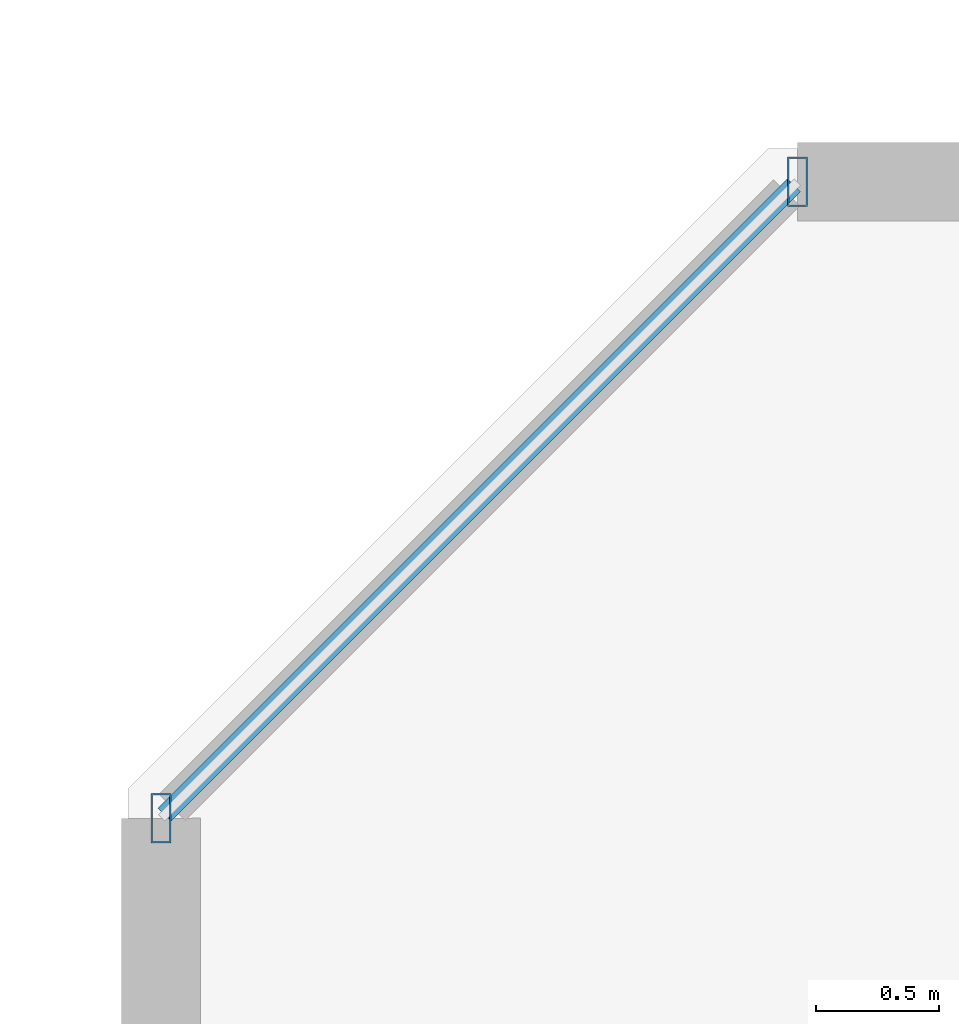
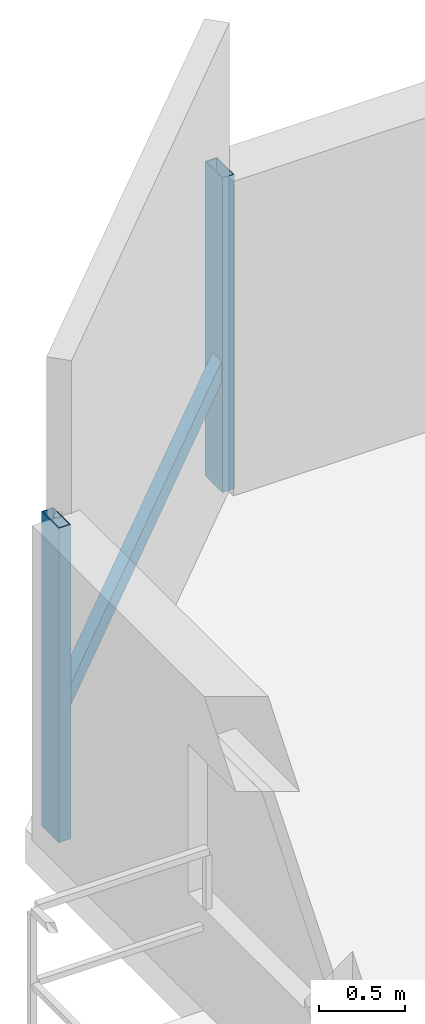
# One storey, part 7 of 35: 3 members, 1 element without a shape of its own.
"""IFC4 building model written with IfcOpenShell, lengths in metres."""

import ifcopenshell
import ifcopenshell.guid

model = None  # the IFC model being written
_history = None  # IfcOwnerHistory: only IFC2X3 demands one
_inside = {}  # id of a spatial element -> (the spatial element, [elements in it])
_under = {}  # id of a project, library or spatial element -> (it, [spatial elements below it])
_declared = {}  # id of a project -> (the project, [libraries it declares])
_typed = {}  # id of a type object -> (the type object, [elements of that type])
_made_of = {}  # id of a material, layer set ... -> (it, [elements and type objects made of it])


def new_model(schema):
    """Start an empty IFC model of exactly this schema.

    Asked for "IFC4X3", IfcOpenShell would pick the latest addendum, in which some entities
    have other attributes; the version numbers below select the first issue.
    IFC2X3 requires an IfcOwnerHistory on every rooted entity: one is made here for all.
    """
    global model, _history
    if schema == "IFC4X3":
        model = ifcopenshell.file(schema_version=(4, 3, 0, 0))
    else:
        model = ifcopenshell.file(schema=schema)
    _inside.clear()
    _under.clear()
    _declared.clear()
    _typed.clear()
    _made_of.clear()
    _history = None
    if model.schema == "IFC2X3":
        org = make("IfcOrganization", Name="unknown")
        user = make(
            "IfcPersonAndOrganization",
            ThePerson=make("IfcPerson", FamilyName="unknown"),
            TheOrganization=org,
        )
        app = make(
            "IfcApplication",
            ApplicationDeveloper=org,
            Version="unknown",
            ApplicationFullName="unknown",
            ApplicationIdentifier="unknown",
        )
        _history = make(
            "IfcOwnerHistory",
            OwningUser=user,
            OwningApplication=app,
            ChangeAction="ADDED",
            CreationDate=0,
        )
    return model


def make(cls, **values):
    """One entity of the class cls with the attributes given. An attribute that is None is left unset."""
    return model.create_entity(
        cls, **{name: value for name, value in values.items() if value is not None}
    )


def rooted(cls, **values):
    """An entity with a GlobalId (a new one), such as an element, a storey or a relation."""
    return make(cls, GlobalId=ifcopenshell.guid.new(), OwnerHistory=_history, **values)


def si_unit(unit_type, name, prefix=None):
    """IfcSIUnit, for example si_unit("LENGTHUNIT", "METRE", prefix="MILLI")."""
    return make("IfcSIUnit", UnitType=unit_type, Prefix=prefix, Name=name)


def assignment(units):
    """IfcUnitAssignment: the units of a project."""
    return None if units is None else make("IfcUnitAssignment", Units=units)


def point(xyz):
    """IfcCartesianPoint."""
    return None if xyz is None else make("IfcCartesianPoint", Coordinates=xyz)


def direction(xyz):
    """IfcDirection."""
    return None if xyz is None else make("IfcDirection", DirectionRatios=xyz)


def frame(location, z_axis=None, x_axis=None):
    """IfcAxis2Placement3D, a coordinate frame: its origin and axes. An axis left out is left unset."""
    return make(
        "IfcAxis2Placement3D",
        Location=point(location),
        Axis=direction(z_axis),
        RefDirection=direction(x_axis),
    )


def frame_2d(location, x_axis=None):
    """IfcAxis2Placement2D, a coordinate frame in the plane: its origin and x axis."""
    return make(
        "IfcAxis2Placement2D", Location=point(location), RefDirection=direction(x_axis)
    )


def origin():
    """The frame at (0, 0, 0) with its axes left unset."""
    return frame((0.0, 0.0, 0.0))


def origin_2d():
    """The frame at (0, 0) in the plane with its x axis left unset."""
    return frame_2d((0.0, 0.0))


def place(relative_to, where):
    """IfcLocalPlacement: puts the frame where relative to a parent placement (None: the world)."""
    return make(
        "IfcLocalPlacement", PlacementRelTo=relative_to, RelativePlacement=where
    )


def context(
    kind, dimensions, precision=None, world=None, true_north=None, identifier=None
):
    """IfcGeometricRepresentationContext, for example the 3D "Model" context."""
    return make(
        "IfcGeometricRepresentationContext",
        ContextIdentifier=identifier,
        ContextType=kind,
        CoordinateSpaceDimension=dimensions,
        Precision=precision,
        WorldCoordinateSystem=world,
        TrueNorth=true_north,
    )


def subcontext(parent, identifier, kind, view, scale=None):
    """IfcGeometricRepresentationSubContext, for example "Body" below "Model"."""
    return make(
        "IfcGeometricRepresentationSubContext",
        ContextIdentifier=identifier,
        ContextType=kind,
        ParentContext=parent,
        TargetScale=scale,
        TargetView=view,
    )


def project(units=None, contexts=None):
    """IfcProject with its units and contexts."""
    return rooted(
        "IfcProject",
        Name="project",
        RepresentationContexts=contexts,
        UnitsInContext=assignment(units),
    )


def spatial(cls, under=None, at=None, **own):
    """A site, building, storey or space (cls), placed at a placement, below another one or the project."""
    s = rooted(cls, ObjectPlacement=at, **own)
    if under is not None:
        _under.setdefault(under.id(), (under, []))[1].append(s)
    return s


def profile(cls, at=None, kind="AREA", **sizes):
    """A parametric profile (cls). Its sizes go by their IFC names, for example OverallWidth=200.0."""
    return make(cls, ProfileType=kind, Position=at, **sizes)


def hollow_rectangle(**sizes):
    """IfcRectangleHollowProfileDef."""
    return profile("IfcRectangleHollowProfileDef", **sizes)


def extrude(swept, where, along, depth):
    """IfcExtrudedAreaSolid: the profile swept, set in the frame where, extruded along a direction by depth."""
    return make(
        "IfcExtrudedAreaSolid",
        SweptArea=swept,
        Position=where,
        ExtrudedDirection=direction(along),
        Depth=depth,
    )


def shape(context_of_items, identifier, shape_type, items):
    """IfcShapeRepresentation: the items that make up one representation, for example the "Body"."""
    return make(
        "IfcShapeRepresentation",
        ContextOfItems=context_of_items,
        RepresentationIdentifier=identifier,
        RepresentationType=shape_type,
        Items=items,
    )


def material(Name=None, Category=None):
    """IfcMaterial."""
    return make("IfcMaterial", Name=Name, Category=Category)


def material_profile(
    of_material, cross_section, Name=None, Category=None, Priority=None
):
    """IfcMaterialProfile: a cross section and its material."""
    return make(
        "IfcMaterialProfile",
        Name=Name,
        Material=of_material,
        Profile=cross_section,
        Priority=Priority,
        Category=Category,
    )


def profile_set(profiles, Name=None, composite=None):
    """IfcMaterialProfileSet."""
    return make(
        "IfcMaterialProfileSet",
        Name=Name,
        MaterialProfiles=profiles,
        CompositeProfile=composite,
    )


def made_of(thing, what):
    """Note that an element or type object is made of a material, layer set ...; save() writes the relation."""
    if what is not None:
        _made_of.setdefault(what.id(), (what, []))[1].append(thing)
    return thing


def type_object(cls, material=None, **own):
    """A type object (cls), such as IfcWallType, which elements share."""
    return made_of(rooted(cls, **own), material)


def element(
    cls,
    number,
    at=None,
    inside=None,
    cuts=None,
    type_object=None,
    material=None,
    context=None,
    identifier="Body",
    shape_type=None,
    held_by="IfcProductDefinitionShape",
    body=None,
    shapes=None,
    **own,
):
    """One element of the class cls, such as IfcWall. Its Tag is "e" and its number.

    at: its placement. inside: the storey or other place that contains it. cuts: it is an
    opening in that element (IfcRelVoidsElement). A single representation is given by context,
    identifier, shape_type and body (its items); several are given by shapes. held_by: the class
    of the entity that holds the representations. save() writes the other relations.
    """
    e = rooted(cls, Tag="e%d" % number, ObjectPlacement=at, **own)
    if body is not None:
        shapes = [shape(context, identifier, shape_type, body)]
    if shapes is not None:
        e.Representation = make(held_by, Representations=shapes)
    if inside is not None:
        _inside.setdefault(inside.id(), (inside, []))[1].append(e)
    if cuts is not None:
        rooted(
            "IfcRelVoidsElement", RelatingBuildingElement=cuts, RelatedOpeningElement=e
        )
    if type_object is not None:
        _typed.setdefault(type_object.id(), (type_object, []))[1].append(e)
    return made_of(e, material)


def aggregate(whole, parts):
    """IfcRelAggregates: a whole, such as a stair, and the parts it consists of."""
    return rooted("IfcRelAggregates", RelatingObject=whole, RelatedObjects=parts)


def save(model, path):
    """Write the relations noted so far, then the file.

    IfcRelAggregates (storeys below a building ...), IfcRelContainedInSpatialStructure (elements
    in a storey), IfcRelDefinesByType, IfcRelAssociatesMaterial and IfcRelDeclares: one each for
    every whole, place, type object, material and project.
    """
    for whole, parts in _under.values():
        aggregate(whole, parts)
    for where, things in _inside.values():
        rooted(
            "IfcRelContainedInSpatialStructure",
            RelatedElements=things,
            RelatingStructure=where,
        )
    for kind, things in _typed.values():
        rooted("IfcRelDefinesByType", RelatedObjects=things, RelatingType=kind)
    for what, things in _made_of.values():
        rooted("IfcRelAssociatesMaterial", RelatedObjects=things, RelatingMaterial=what)
    for by, libraries in _declared.values():
        rooted("IfcRelDeclares", RelatingContext=by, RelatedDefinitions=libraries)
    model.write(path)


model = new_model("IFC4")

# Units and contexts
model_context = context("Model", 3, precision=1e-05, world=origin(), true_north=direction((0.0, 1.0)))
body_context = subcontext(model_context, "Body", "Model", "MODEL_VIEW")
ifc_project = project(units=[si_unit("LENGTHUNIT", "METRE"), si_unit("AREAUNIT", "SQUARE_METRE"), si_unit("VOLUMEUNIT", "CUBIC_METRE"), si_unit("PLANEANGLEUNIT", "RADIAN"), si_unit("MASSUNIT", "GRAM", prefix="KILO")], contexts=[model_context])

# Site, building, storey
site_placement = place(None, origin())
site = spatial("IfcSite", under=ifc_project, at=site_placement, CompositionType="ELEMENT")
building_placement = place(site_placement, origin())
building = spatial("IfcBuilding", under=site, at=building_placement, Name="Thornwick Lancets Civic Towers", CompositionType="ELEMENT")
storey_placement = place(building_placement, frame((0.0, 0.0, 145.5)))
storey = spatial("IfcBuildingStorey", under=building, at=storey_placement, Name="L38", CompositionType="ELEMENT", Elevation=145.5)

# Curtain wall, members
ifc_material_1 = material(Name="Mid-zone chamfered-corner unitised glass curtain wall", Category="glass")
curtain_wall_type = type_object("IfcCurtainWallType", Name="CW_SYS_04", PredefinedType="NOTDEFINED", material=ifc_material_1)
curtain_wall_placement = place(storey_placement, origin())
curtain_wall = element("IfcCurtainWall", 1, at=curtain_wall_placement, inside=storey, type_object=curtain_wall_type, Name="L38 Curtain Wall CW-L38-A-E5", PredefinedType="NOTDEFINED")
ifc_material_2 = material(Name="Thermally broken bronze aluminium S355", Category="steel")
ifc_material_profile_1 = material_profile(ifc_material_2, hollow_rectangle(XDim=0.080078125, YDim=0.199951171875, WallThickness=0.006103515625, at=origin_2d()), Name="RHS 200x80x6")
ifc_profile_set_1 = profile_set([ifc_material_profile_1], Name="Thermally broken bronze aluminium S355")
member_type_1 = type_object("IfcMemberType", Name="CW_MUL_200", PredefinedType="MULLION", material=ifc_profile_set_1)
member_1_placement = place(storey_placement, frame((4.318603515625, 44.7646484375, 0.0), z_axis=(0.0, 0.0, 1.0), x_axis=(1.0, 0.0, 0.0)))
member_1 = element("IfcMember", 2, at=member_1_placement, type_object=member_type_1, Name="CW-L38-A-E5 Mullion 0", PredefinedType="MULLION", context=body_context, shape_type="SweptSolid", body=[
    extrude(hollow_rectangle(XDim=0.080078125, YDim=0.199951171875, WallThickness=0.006103515625, at=origin_2d()), origin(), (0.0, 0.0, 1.0), 2.219970703125),
])
member_2_placement = place(storey_placement, frame((1.7353515625, 42.181396484375, 0.0), z_axis=(0.0, 0.0, 1.0), x_axis=(1.0, 0.0, 0.0)))
member_2 = element("IfcMember", 3, at=member_2_placement, type_object=member_type_1, Name="CW-L38-A-E5 Mullion 1", PredefinedType="MULLION", context=body_context, shape_type="SweptSolid", body=[
    extrude(hollow_rectangle(XDim=0.080078125, YDim=0.199951171875, WallThickness=0.006103515625, at=origin_2d()), origin(), (0.0, 0.0, 1.0), 2.219970703125),
])
ifc_material_profile_2 = material_profile(ifc_material_2, hollow_rectangle(XDim=0.074951171875, YDim=0.14990234375, WallThickness=0.0048828125, at=origin_2d()), Name="RHS 150x75x5")
ifc_profile_set_2 = profile_set([ifc_material_profile_2], Name="Thermally broken bronze aluminium S355")
member_type_2 = type_object("IfcMemberType", Name="CW_TRN_150", PredefinedType="USERDEFINED", material=ifc_profile_set_2)
member_3_placement = place(storey_placement, frame((4.304443359375, 44.75048828125, 0.85009765625), z_axis=(-0.707106781187, -0.707106781187, 0.0), x_axis=(0.707106781187, -0.707106781187, 0.0)))
member_3 = element("IfcMember", 4, at=member_3_placement, type_object=member_type_2, Name="CW-L38-A-E5 Transom 0", ObjectType="TRANSOM", PredefinedType="USERDEFINED", context=body_context, shape_type="SweptSolid", body=[
    extrude(hollow_rectangle(XDim=0.074951171875, YDim=0.14990234375, WallThickness=0.0048828125, at=origin_2d()), origin(), (0.0, 0.0, 1.0), 3.61328125),
])
aggregate(curtain_wall, [member_1, member_2, member_3])

save(model, "model.ifc")
